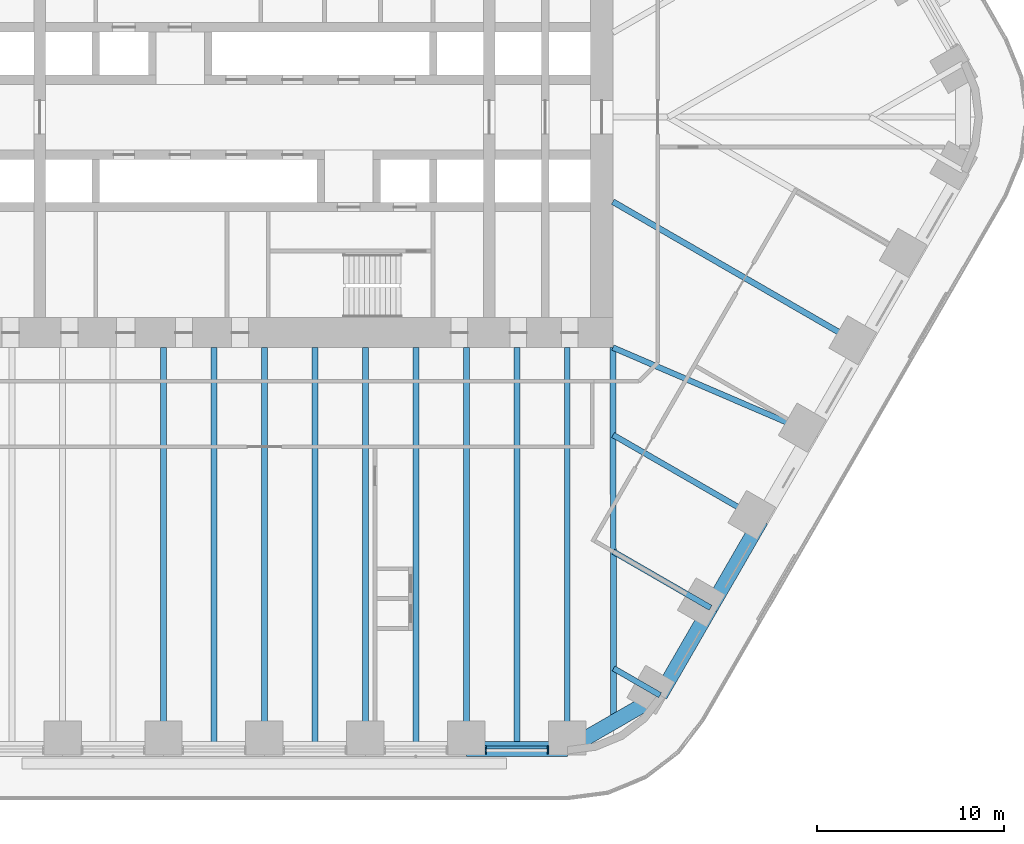
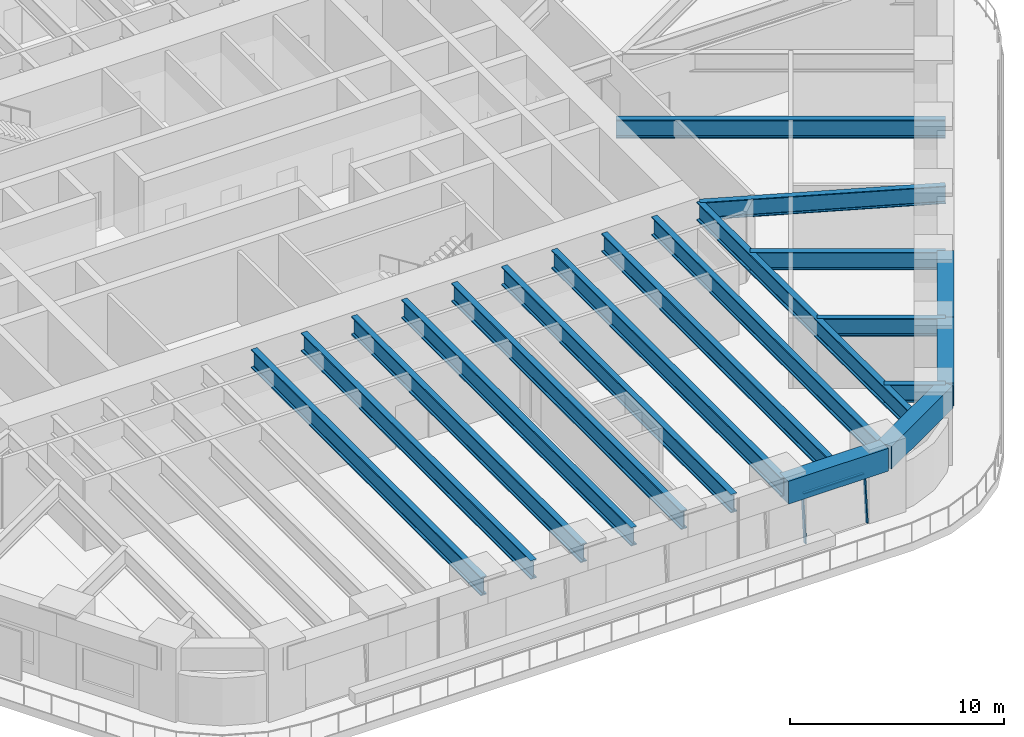
# One storey, part 5 of 23: 19 beams, 3 members, 1 element without a shape of its own.
"""IFC4 building model written with IfcOpenShell, lengths in metres."""

from ifc_helpers import new_model, si_unit, direction, frame, origin, origin_2d, place, context, subcontext, project, spatial, rectangle, i_section, extrude, material, material_profile, profile_set, type_object, element, aggregate, save


model = new_model("IFC4")

# Units and contexts
model_context = context("Model", 3, precision=1e-05, world=origin(), true_north=direction((0.0, 1.0)))
body_context = subcontext(model_context, "Body", "Model", "MODEL_VIEW")
ifc_project = project(units=[si_unit("LENGTHUNIT", "METRE"), si_unit("AREAUNIT", "SQUARE_METRE"), si_unit("VOLUMEUNIT", "CUBIC_METRE"), si_unit("PLANEANGLEUNIT", "RADIAN"), si_unit("MASSUNIT", "GRAM", prefix="KILO")], contexts=[model_context])

# Site, building, storey
site_placement = place(None, origin())
site = spatial("IfcSite", under=ifc_project, at=site_placement, CompositionType="ELEMENT")
building_placement = place(site_placement, origin())
building = spatial("IfcBuilding", under=site, at=building_placement, Name="Tarfa Lantern Tower", CompositionType="ELEMENT")
storey_placement = place(building_placement, frame((0.0, 0.0, 57.10009765625)))
storey = spatial("IfcBuildingStorey", under=building, at=storey_placement, Name="L12", CompositionType="ELEMENT", Elevation=57.10009765625)

# Curtain wall, members
ifc_material_1 = material(Name="Aluminium framed curtain wall", Category="aluminium")
curtain_wall_type = type_object("IfcCurtainWallType", Name="CW1 CANTED GLAZING LOW ZONE 2700", PredefinedType="USERDEFINED", material=ifc_material_1)
curtain_wall_placement = place(storey_placement, origin())
curtain_wall = element("IfcCurtainWall", 1, at=curtain_wall_placement, inside=storey, type_object=curtain_wall_type, Name="CW1 S L12", ObjectType="CURTAIN WALL", PredefinedType="USERDEFINED")
ifc_material_2 = material(Name="Aluminium mullion", Category="aluminium")
ifc_material_profile_1 = material_profile(ifc_material_2, rectangle(XDim=0.06494140625, YDim=0.199951171875, at=origin_2d()), Name="AL MULLION 65x200")
ifc_profile_set_1 = profile_set([ifc_material_profile_1], Name="Aluminium mullion")
member_type_1 = type_object("IfcMemberType", Name="CWM1 MULLION 65x200", PredefinedType="MULLION", material=ifc_profile_set_1)
member_1_placement = place(storey_placement, frame((11.809814453125, -33.89990234375, 0.0), z_axis=(0.0, 0.092199863775, 0.995740520979), x_axis=(-1.0, 0.0, 0.0)))
member_1 = element("IfcMember", 2, at=member_1_placement, type_object=member_type_1, Name="CW1 mullion 1", PredefinedType="MULLION", context=body_context, shape_type="SweptSolid", body=[
    extrude(rectangle(XDim=0.06494140625, YDim=0.199951171875, at=origin_2d()), origin(), (0.0, 0.0, 1.0), 2.71142578125),
])
member_2_placement = place(storey_placement, frame((15.13330078125, -33.89990234375, 0.0), z_axis=(0.0, 0.092199863775, 0.995740520979), x_axis=(-1.0, 0.0, 0.0)))
member_2 = element("IfcMember", 3, at=member_2_placement, type_object=member_type_1, Name="CW1 mullion 2", PredefinedType="MULLION", context=body_context, shape_type="SweptSolid", body=[
    extrude(rectangle(XDim=0.06494140625, YDim=0.199951171875, at=origin_2d()), origin(), (0.0, 0.0, 1.0), 2.71142578125),
])
ifc_material_3 = material(Name="Aluminium transom", Category="aluminium")
ifc_material_profile_2 = material_profile(ifc_material_3, rectangle(XDim=0.14990234375, YDim=0.06494140625, at=origin_2d()), Name="AL TRANSOM 150x65")
ifc_profile_set_2 = profile_set([ifc_material_profile_2], Name="Aluminium transom")
member_type_2 = type_object("IfcMemberType", Name="CWT1 TRANSOM 150x65", PredefinedType="USERDEFINED", material=ifc_profile_set_2)
member_3_placement = place(storey_placement, frame((11.84228515625, -33.653076171875, 2.66748046875), z_axis=(1.0, 0.0, 0.0), x_axis=(0.0, 1.0, 0.0)))
member_3 = element("IfcMember", 4, at=member_3_placement, type_object=member_type_2, Name="CW1 transom 1.2", ObjectType="TRANSOM", PredefinedType="USERDEFINED", context=body_context, shape_type="SweptSolid", body=[
    extrude(rectangle(XDim=0.14990234375, YDim=0.06494140625, at=origin_2d()), origin(), (0.0, 0.0, 1.0), 3.258544921875),
])
aggregate(curtain_wall, [member_1, member_2, member_3])

# Beams
ifc_material_4 = material(Name="Concrete C80/95", Category="concrete")
ifc_material_profile_3 = material_profile(ifc_material_4, rectangle(XDim=0.800048828125, YDim=1.300048828125, at=origin_2d()), Name="RC 800x1300")
ifc_profile_set_3 = profile_set([ifc_material_profile_3], Name="Concrete C80/95")
beam_type_1 = type_object("IfcBeamType", Name="EB1 RC 800x1300", PredefinedType="SPANDREL", material=ifc_profile_set_3)
beam_1_placement = place(storey_placement, frame((10.777099609375, -33.719970703125, 3.349853515625), z_axis=(1.0, 0.0, 0.0), x_axis=(0.0, 1.0, 0.0)))
element("IfcBeam", 5, at=beam_1_placement, inside=storey, type_object=beam_type_1, Name="Edge beam S5", PredefinedType="SPANDREL", context=body_context, shape_type="SweptSolid", body=[
    extrude(rectangle(XDim=0.800048828125, YDim=1.300048828125, at=origin_2d()), origin(), (0.0, 0.0, 1.0), 5.388671875),
])
beam_2_placement = place(storey_placement, frame((16.165771484375, -33.719970703125, 3.349853515625), z_axis=(0.866033479681, 0.499986011877, 0.0), x_axis=(-0.499986011877, 0.866033479681, 0.0)))
element("IfcBeam", 6, at=beam_2_placement, inside=storey, type_object=beam_type_1, Name="Edge beam S6", PredefinedType="SPANDREL", context=body_context, shape_type="SweptSolid", body=[
    extrude(rectangle(XDim=0.800048828125, YDim=1.300048828125, at=origin_2d()), origin(), (0.0, 0.0, 1.0), 5.719970703125),
])
for number, where, z_axis, x_axis, name in (
    (7, (21.119384765625, -30.860107421875, 3.349853515625), (0.499998287579, 0.866026392449, 0.0), (-0.866026392449, 0.499998287579, 0.0), "Edge beam SE0"),
    (8, (23.813720703125, -26.193359375, 3.349853515625), (0.499998287579, 0.866026392449, 0.0), (-0.866026392449, 0.499998287579, 0.0), "Edge beam SE1"),
):
    element("IfcBeam", number, at=place(storey_placement, frame(where, z_axis=z_axis, x_axis=x_axis)), inside=storey, type_object=beam_type_1, Name=name, PredefinedType="SPANDREL", context=body_context, shape_type="SweptSolid", body=[
        extrude(rectangle(XDim=0.800048828125, YDim=1.300048828125, at=origin_2d()), origin(), (0.0, 0.0, 1.0), 5.388671875),
    ])
ifc_material_5 = material(Name="Steel S460M", Category="steel")
ifc_material_profile_4 = material_profile(ifc_material_5, i_section(OverallWidth=0.302001953125, OverallDepth=1.008056640625, WebThickness=0.02099609375, FlangeThickness=0.0400390625, FilletRadius=0.030029296875, at=origin_2d()), Name="UB1016x305x349")
ifc_profile_set_4 = profile_set([ifc_material_profile_4], Name="Steel S460M")
beam_type_2 = type_object("IfcBeamType", Name="UB1016x305x349", PredefinedType="BEAM", material=ifc_profile_set_4)
beam_3_placement = place(storey_placement, frame((21.119384765625, -30.860107421875, 3.495849609375), z_axis=(-0.866012580594, 0.500022209759, 0.0), x_axis=(-0.500022209759, -0.866012580594, 0.0)))
element("IfcBeam", 9, at=beam_3_placement, inside=storey, type_object=beam_type_2, Name="Floor beam SE0", PredefinedType="BEAM", context=body_context, shape_type="SweptSolid", body=[
    extrude(i_section(OverallWidth=0.302001953125, OverallDepth=1.008056640625, WebThickness=0.02099609375, FlangeThickness=0.0400390625, FilletRadius=0.030029296875, at=origin_2d()), origin(), (0.0, 0.0, 1.0), 2.866943359375),
])
beam_4_placement = place(storey_placement, frame((23.813720703125, -26.193359375, 3.495849609375), z_axis=(-0.866015997389, 0.500016292001, 0.0), x_axis=(-0.500016292001, -0.866015997389, 0.0)))
element("IfcBeam", 10, at=beam_4_placement, inside=storey, type_object=beam_type_2, Name="Floor beam SE1", PredefinedType="BEAM", context=body_context, shape_type="SweptSolid", body=[
    extrude(i_section(OverallWidth=0.302001953125, OverallDepth=1.008056640625, WebThickness=0.02099609375, FlangeThickness=0.0400390625, FilletRadius=0.030029296875, at=origin_2d()), origin(), (0.0, 0.0, 1.0), 5.993408203125),
])
beam_5_placement = place(storey_placement, frame((26.508056640625, -21.526611328125, 3.495849609375), z_axis=(-0.866035355799, 0.49998276221, 0.0), x_axis=(-0.49998276221, -0.866035355799, 0.0)))
element("IfcBeam", 11, at=beam_5_placement, inside=storey, type_object=beam_type_2, Name="Floor beam SE2", PredefinedType="BEAM", context=body_context, shape_type="SweptSolid", body=[
    extrude(i_section(OverallWidth=0.302001953125, OverallDepth=1.008056640625, WebThickness=0.02099609375, FlangeThickness=0.0400390625, FilletRadius=0.030029296875, at=origin_2d()), origin(), (0.0, 0.0, 1.0), 9.119873046875),
])
beam_6_placement = place(storey_placement, frame((29.202392578125, -16.860107421875, 3.495849609375), z_axis=(-0.918635483867, 0.395106122175, 0.0), x_axis=(-0.395106122175, -0.918635483867, 0.0)))
element("IfcBeam", 12, at=beam_6_placement, inside=storey, type_object=beam_type_2, Name="Floor beam SE3", PredefinedType="BEAM", context=body_context, shape_type="SweptSolid", body=[
    extrude(i_section(OverallWidth=0.302001953125, OverallDepth=1.008056640625, WebThickness=0.02099609375, FlangeThickness=0.0400390625, FilletRadius=0.030029296875, at=origin_2d()), origin(), (0.0, 0.0, 1.0), 11.541259765625),
])
ifc_material_profile_5 = material_profile(ifc_material_5, i_section(OverallWidth=0.314208984375, OverallDepth=1.055908203125, WebThickness=0.035888671875, FlangeThickness=0.06396484375, FilletRadius=0.030029296875, at=origin_2d()), Name="UB1016x305x584")
ifc_profile_set_5 = profile_set([ifc_material_profile_5], Name="Steel S460M")
beam_type_3 = type_object("IfcBeamType", Name="UB1016x305x584", PredefinedType="BEAM", material=ifc_profile_set_5)
beam_7_placement = place(storey_placement, frame((18.60009765625, -12.300048828125, 3.471923828125), z_axis=(0.00212508222, -0.99999774201, 0.0), x_axis=(0.99999774201, 0.00212508222, 0.0)))
element("IfcBeam", 13, at=beam_7_placement, inside=storey, type_object=beam_type_3, Name="Hip girder SE", PredefinedType="BEAM", context=body_context, shape_type="SweptSolid", body=[
    extrude(i_section(OverallWidth=0.314208984375, OverallDepth=1.055908203125, WebThickness=0.035888671875, FlangeThickness=0.06396484375, FilletRadius=0.030029296875, at=origin_2d()), origin(), (0.0, 0.0, 1.0), 19.989990234375),
])
for number, where, z_axis, x_axis, name in (
    (14, (-5.388671875, -33.719970703125, 3.471923828125), (0.0, 1.0, 0.0), (-1.0, 0.0, 0.0), "Floor beam S2"),
    (15, (0.0, -33.719970703125, 3.471923828125), (0.0, 1.0, 0.0), (-1.0, 0.0, 0.0), "Floor beam S3"),
    (16, (5.388671875, -33.719970703125, 3.471923828125), (0.0, 1.0, 0.0), (-1.0, 0.0, 0.0), "Floor beam S4"),
    (17, (10.777099609375, -33.719970703125, 3.471923828125), (0.0, 1.0, 0.0), (-1.0, 0.0, 0.0), "Floor beam S5"),
    (18, (16.165771484375, -33.719970703125, 3.471923828125), (0.0, 1.0, 0.0), (-1.0, 0.0, 0.0), "Floor beam S6"),
):
    element("IfcBeam", number, at=place(storey_placement, frame(where, z_axis=z_axis, x_axis=x_axis)), inside=storey, type_object=beam_type_3, Name=name, PredefinedType="BEAM", context=body_context, shape_type="SweptSolid", body=[
        extrude(i_section(OverallWidth=0.314208984375, OverallDepth=1.055908203125, WebThickness=0.035888671875, FlangeThickness=0.06396484375, FilletRadius=0.030029296875, at=origin_2d()), origin(), (0.0, 0.0, 1.0), 21.419921875),
    ])
beam_8_placement = place(storey_placement, frame((31.896728515625, -12.193359375, 3.471923828125), z_axis=(-0.866026971665, 0.499997284341, 0.0), x_axis=(-0.499997284341, -0.866026971665, 0.0)))
element("IfcBeam", 19, at=beam_8_placement, inside=storey, type_object=beam_type_3, Name="Floor beam SE4", PredefinedType="BEAM", context=body_context, shape_type="SweptSolid", body=[
    extrude(i_section(OverallWidth=0.314208984375, OverallDepth=1.055908203125, WebThickness=0.035888671875, FlangeThickness=0.06396484375, FilletRadius=0.030029296875, at=origin_2d()), origin(), (0.0, 0.0, 1.0), 15.353515625),
])
for number, where, z_axis, x_axis, name in (
    (20, (-2.6943359375, -33.719970703125, 3.471923828125), (0.0, 1.0, 0.0), (-1.0, 0.0, 0.0), "Floor beam S2M"),
    (21, (2.6943359375, -33.719970703125, 3.471923828125), (0.0, 1.0, 0.0), (-1.0, 0.0, 0.0), "Floor beam S3M"),
    (22, (8.0830078125, -33.719970703125, 3.471923828125), (0.0, 1.0, 0.0), (-1.0, 0.0, 0.0), "Floor beam S4M"),
    (23, (13.471435546875, -33.719970703125, 3.471923828125), (0.0, 1.0, 0.0), (-1.0, 0.0, 0.0), "Floor beam S5M"),
):
    element("IfcBeam", number, at=place(storey_placement, frame(where, z_axis=z_axis, x_axis=x_axis)), inside=storey, type_object=beam_type_3, Name=name, PredefinedType="BEAM", context=body_context, shape_type="SweptSolid", body=[
        extrude(i_section(OverallWidth=0.314208984375, OverallDepth=1.055908203125, WebThickness=0.035888671875, FlangeThickness=0.06396484375, FilletRadius=0.030029296875, at=origin_2d()), origin(), (0.0, 0.0, 1.0), 21.419921875),
    ])

save(model, "model.ifc")
